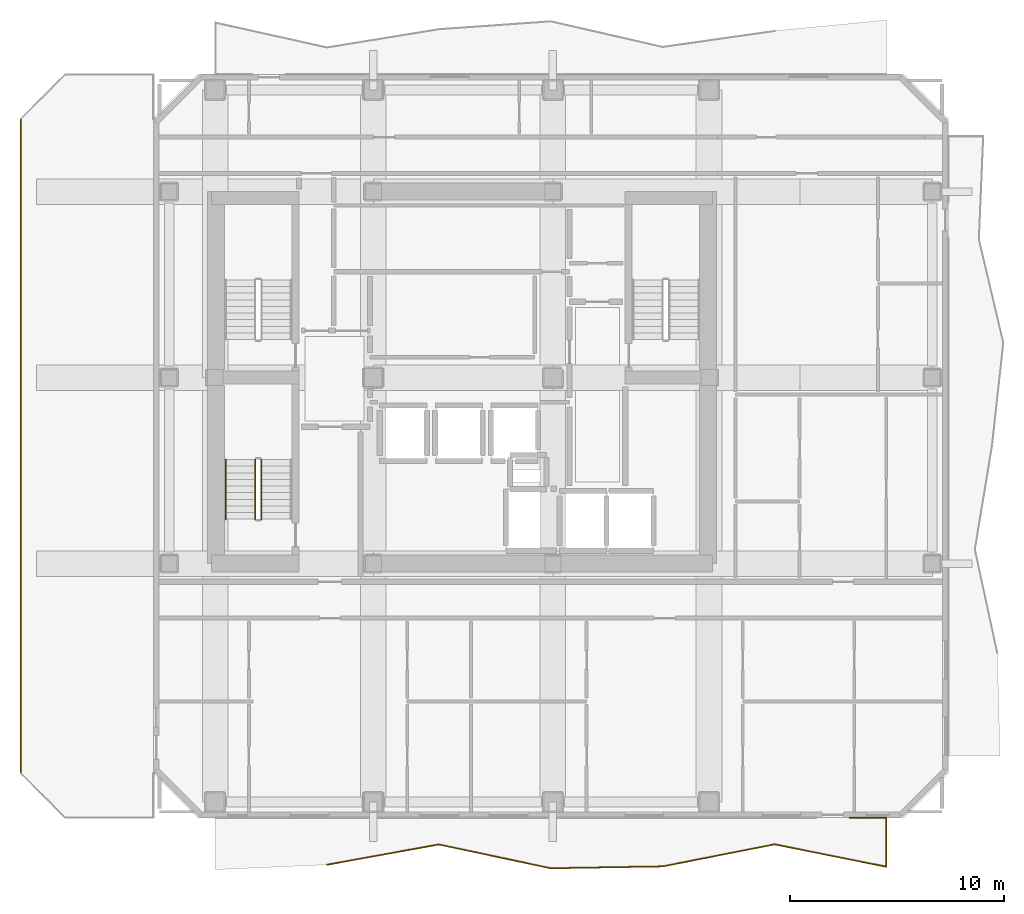
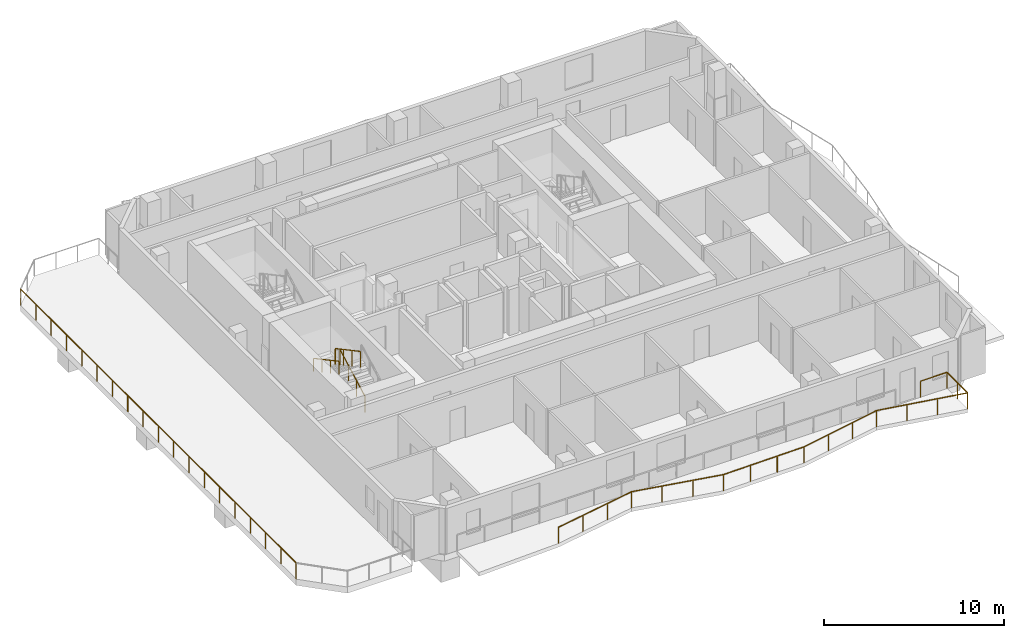
# One storey, part 8 of 10: 5 railings.
"""IFC4 building model written with IfcOpenShell, lengths in metres."""

from ifc_helpers import new_model, si_unit, direction, frame, origin, origin_2d, place, context, subcontext, project, spatial, rectangle, extrude, material, type_object, element, save


model = new_model("IFC4")

# Units and contexts
model_context = context("Model", 3, precision=1e-05, world=origin(), true_north=direction((0.0, 1.0)))
body_context = subcontext(model_context, "Body", "Model", "MODEL_VIEW")
ifc_project = project(units=[si_unit("LENGTHUNIT", "METRE"), si_unit("AREAUNIT", "SQUARE_METRE"), si_unit("VOLUMEUNIT", "CUBIC_METRE"), si_unit("PLANEANGLEUNIT", "RADIAN"), si_unit("MASSUNIT", "GRAM", prefix="KILO")], contexts=[model_context])

# Site, building, storey
site_placement = place(None, origin())
site = spatial("IfcSite", under=ifc_project, at=site_placement, CompositionType="ELEMENT")
building_placement = place(site_placement, origin())
building = spatial("IfcBuilding", under=site, at=building_placement, Name="Solanera Arch Residences", CompositionType="ELEMENT")
storey_placement = place(building_placement, frame((0.0, 0.0, 210.080078125)))
storey = spatial("IfcBuildingStorey", under=building, at=storey_placement, Name="L61", CompositionType="ELEMENT", Elevation=210.080078125)

# Railings
ifc_material_1 = material(Name="Steel S355 (ASTM A992 / A572 Grade 50)", Category="steel")
railing_type_1 = type_object("IfcRailingType", Name="Balustrade Railing BL-1100", PredefinedType="BALUSTRADE", material=ifc_material_1)
railing_1_placement = place(storey_placement, frame((18.633056640625, 7.9140625, 0.0)))
element("IfcRailing", 1, at=railing_1_placement, inside=storey, type_object=railing_type_1, Name="L61 S Balcony Balustrade 1", PredefinedType="BALUSTRADE", context=body_context, shape_type="SweptSolid", body=[
    extrude(rectangle(XDim=0.048095703125, YDim=0.048095703125, at=origin_2d()), frame((0.0, 0.0, 1.09619140625), z_axis=(0.983924939032, 0.178582514123, 0.0), x_axis=(-0.178582514123, 0.983924939032, 0.0)), (0.0, 0.0, 1.0), 5.3193359375),
    extrude(rectangle(XDim=0.048095703125, YDim=0.048095703125, at=origin_2d()), frame((5.23388671875, 0.949951171875, 1.09619140625), z_axis=(0.978083987841, -0.208210741148, 0.0), x_axis=(0.208210741148, 0.978083987841, 0.0)), (0.0, 0.0, 1.0), 5.350341796875),
    extrude(rectangle(XDim=0.048095703125, YDim=0.048095703125, at=origin_2d()), frame((10.467041015625, -0.1640625, 1.09619140625), z_axis=(0.999858981309, 0.016793376564, 0.0), x_axis=(-0.016793376564, 0.999858981309, 0.0)), (0.0, 0.0, 1.0), 5.233642578125),
    extrude(rectangle(XDim=0.048095703125, YDim=0.048095703125, at=origin_2d()), frame((15.699951171875, -0.076171875, 1.09619140625), z_axis=(0.981101701225, 0.193492769511, 0.0), x_axis=(-0.193492769511, 0.981101701225, 0.0)), (0.0, 0.0, 1.0), 5.334716796875),
    extrude(rectangle(XDim=0.048095703125, YDim=0.048095703125, at=origin_2d()), frame((20.933837890625, 0.9560546875, 1.09619140625), z_axis=(0.980492610512, -0.196555948093, 0.0), x_axis=(0.196555948093, 0.980492610512, 0.0)), (0.0, 0.0, 1.0), 5.337158203125),
    extrude(rectangle(XDim=0.048095703125, YDim=0.048095703125, at=origin_2d()), frame((26.1669921875, -0.093017578125, 1.09619140625), z_axis=(0.0, 1.0, 0.0), x_axis=(-1.0, 0.0, 0.0)), (0.0, 0.0, 1.0), 2.299072265625),
    extrude(rectangle(XDim=0.048095703125, YDim=0.048095703125, at=origin_2d()), frame((26.1669921875, 2.2060546875, 1.09619140625), z_axis=(-1.0, 0.0, 0.0), x_axis=(0.0, -1.0, 0.0)), (0.0, 0.0, 1.0), 1.7099609375),
    extrude(rectangle(XDim=0.0419921875, YDim=0.0419921875, at=origin_2d()), origin(), (0.0, 0.0, 1.0), 1.072021484375),
    extrude(rectangle(XDim=0.0419921875, YDim=0.0419921875, at=origin_2d()), frame((1.74462890625, 0.316650390625, 0.0)), (0.0, 0.0, 1.0), 1.072021484375),
    extrude(rectangle(XDim=0.0419921875, YDim=0.0419921875, at=origin_2d()), frame((3.4892578125, 0.63330078125, 0.0)), (0.0, 0.0, 1.0), 1.072021484375),
    extrude(rectangle(XDim=0.0419921875, YDim=0.0419921875, at=origin_2d()), frame((5.23388671875, 0.949951171875, 0.0)), (0.0, 0.0, 1.0), 1.072021484375),
    extrude(rectangle(XDim=0.0419921875, YDim=0.0419921875, at=origin_2d()), frame((6.978271484375, 0.57861328125, 0.0)), (0.0, 0.0, 1.0), 1.072021484375),
    extrude(rectangle(XDim=0.0419921875, YDim=0.0419921875, at=origin_2d()), frame((8.72265625, 0.207275390625, 0.0)), (0.0, 0.0, 1.0), 1.072021484375),
    extrude(rectangle(XDim=0.0419921875, YDim=0.0419921875, at=origin_2d()), frame((10.467041015625, -0.1640625, 0.0)), (0.0, 0.0, 1.0), 1.072021484375),
    extrude(rectangle(XDim=0.0419921875, YDim=0.0419921875, at=origin_2d()), frame((12.21142578125, -0.134765625, 0.0)), (0.0, 0.0, 1.0), 1.072021484375),
    extrude(rectangle(XDim=0.0419921875, YDim=0.0419921875, at=origin_2d()), frame((13.95556640625, -0.10546875, 0.0)), (0.0, 0.0, 1.0), 1.072021484375),
    extrude(rectangle(XDim=0.0419921875, YDim=0.0419921875, at=origin_2d()), frame((15.699951171875, -0.076171875, 0.0)), (0.0, 0.0, 1.0), 1.072021484375),
    extrude(rectangle(XDim=0.0419921875, YDim=0.0419921875, at=origin_2d()), frame((17.444580078125, 0.267822265625, 0.0)), (0.0, 0.0, 1.0), 1.072021484375),
    extrude(rectangle(XDim=0.0419921875, YDim=0.0419921875, at=origin_2d()), frame((19.189208984375, 0.612060546875, 0.0)), (0.0, 0.0, 1.0), 1.072021484375),
    extrude(rectangle(XDim=0.0419921875, YDim=0.0419921875, at=origin_2d()), frame((20.933837890625, 0.9560546875, 0.0)), (0.0, 0.0, 1.0), 1.072021484375),
    extrude(rectangle(XDim=0.0419921875, YDim=0.0419921875, at=origin_2d()), frame((22.67822265625, 0.6064453125, 0.0)), (0.0, 0.0, 1.0), 1.072021484375),
    extrude(rectangle(XDim=0.0419921875, YDim=0.0419921875, at=origin_2d()), frame((24.422607421875, 0.256591796875, 0.0)), (0.0, 0.0, 1.0), 1.072021484375),
    extrude(rectangle(XDim=0.0419921875, YDim=0.0419921875, at=origin_2d()), frame((26.1669921875, -0.093017578125, 0.0)), (0.0, 0.0, 1.0), 1.072021484375),
    extrude(rectangle(XDim=0.0419921875, YDim=0.0419921875, at=origin_2d()), frame((26.1669921875, 1.056640625, 0.0)), (0.0, 0.0, 1.0), 1.072021484375),
    extrude(rectangle(XDim=0.0419921875, YDim=0.0419921875, at=origin_2d()), frame((26.1669921875, 2.2060546875, 0.0)), (0.0, 0.0, 1.0), 1.072021484375),
    extrude(rectangle(XDim=0.0419921875, YDim=0.0419921875, at=origin_2d()), frame((24.45703125, 2.2060546875, 0.0)), (0.0, 0.0, 1.0), 1.072021484375),
])
railing_2_placement = place(storey_placement, frame((4.300048828125, 42.800048828125, 0.0)))
element("IfcRailing", 2, at=railing_2_placement, inside=storey, type_object=railing_type_1, Name="L61 Sky Terrace Guardrail 1", PredefinedType="BALUSTRADE", context=body_context, shape_type="SweptSolid", body=[
    extrude(rectangle(XDim=0.048095703125, YDim=0.048095703125, at=origin_2d()), frame((0.0, 0.0, 1.09619140625), z_axis=(0.0, -1.0, 0.0), x_axis=(1.0, 0.0, 0.0)), (0.0, 0.0, 1.0), 30.60009765625),
    extrude(rectangle(XDim=0.0419921875, YDim=0.0419921875, at=origin_2d()), origin(), (0.0, 0.0, 1.0), 1.072021484375),
    extrude(rectangle(XDim=0.0419921875, YDim=0.0419921875, at=origin_2d()), frame((0.0, -1.699951171875, 0.0)), (0.0, 0.0, 1.0), 1.072021484375),
    extrude(rectangle(XDim=0.0419921875, YDim=0.0419921875, at=origin_2d()), frame((0.0, -3.39990234375, 0.0)), (0.0, 0.0, 1.0), 1.072021484375),
    extrude(rectangle(XDim=0.0419921875, YDim=0.0419921875, at=origin_2d()), frame((0.0, -5.10009765625, 0.0)), (0.0, 0.0, 1.0), 1.072021484375),
    extrude(rectangle(XDim=0.0419921875, YDim=0.0419921875, at=origin_2d()), frame((0.0, -6.800048828125, 0.0)), (0.0, 0.0, 1.0), 1.072021484375),
    extrude(rectangle(XDim=0.0419921875, YDim=0.0419921875, at=origin_2d()), frame((0.0, -8.5, 0.0)), (0.0, 0.0, 1.0), 1.072021484375),
    extrude(rectangle(XDim=0.0419921875, YDim=0.0419921875, at=origin_2d()), frame((0.0, -10.199951171875, 0.0)), (0.0, 0.0, 1.0), 1.072021484375),
    extrude(rectangle(XDim=0.0419921875, YDim=0.0419921875, at=origin_2d()), frame((0.0, -11.900146484375, 0.0)), (0.0, 0.0, 1.0), 1.072021484375),
    extrude(rectangle(XDim=0.0419921875, YDim=0.0419921875, at=origin_2d()), frame((0.0, -13.60009765625, 0.0)), (0.0, 0.0, 1.0), 1.072021484375),
    extrude(rectangle(XDim=0.0419921875, YDim=0.0419921875, at=origin_2d()), frame((0.0, -15.300048828125, 0.0)), (0.0, 0.0, 1.0), 1.072021484375),
    extrude(rectangle(XDim=0.0419921875, YDim=0.0419921875, at=origin_2d()), frame((0.0, -17.0, 0.0)), (0.0, 0.0, 1.0), 1.072021484375),
    extrude(rectangle(XDim=0.0419921875, YDim=0.0419921875, at=origin_2d()), frame((0.0, -18.699951171875, 0.0)), (0.0, 0.0, 1.0), 1.072021484375),
    extrude(rectangle(XDim=0.0419921875, YDim=0.0419921875, at=origin_2d()), frame((0.0, -20.400146484375, 0.0)), (0.0, 0.0, 1.0), 1.072021484375),
    extrude(rectangle(XDim=0.0419921875, YDim=0.0419921875, at=origin_2d()), frame((0.0, -22.10009765625, 0.0)), (0.0, 0.0, 1.0), 1.072021484375),
    extrude(rectangle(XDim=0.0419921875, YDim=0.0419921875, at=origin_2d()), frame((0.0, -23.800048828125, 0.0)), (0.0, 0.0, 1.0), 1.072021484375),
    extrude(rectangle(XDim=0.0419921875, YDim=0.0419921875, at=origin_2d()), frame((0.0, -25.5, 0.0)), (0.0, 0.0, 1.0), 1.072021484375),
    extrude(rectangle(XDim=0.0419921875, YDim=0.0419921875, at=origin_2d()), frame((0.0, -27.2001953125, 0.0)), (0.0, 0.0, 1.0), 1.072021484375),
    extrude(rectangle(XDim=0.0419921875, YDim=0.0419921875, at=origin_2d()), frame((0.0, -28.900146484375, 0.0)), (0.0, 0.0, 1.0), 1.072021484375),
    extrude(rectangle(XDim=0.0419921875, YDim=0.0419921875, at=origin_2d()), frame((0.0, -30.60009765625, 0.0)), (0.0, 0.0, 1.0), 1.072021484375),
])
ifc_material_2 = material(Name="Steel S355 (ASTM A992 / A572 Grade 50)", Category="steel")
railing_type_2 = type_object("IfcRailingType", Name="Stair Guardrail GR-1100", PredefinedType="GUARDRAIL", material=ifc_material_2)
railing_3_placement = place(storey_placement, frame((15.570068359375, 24.080078125, 0.15087890625)))
element("IfcRailing", 3, at=railing_3_placement, inside=storey, type_object=railing_type_2, Name="L61 ST-T3 stair guard 1", PredefinedType="GUARDRAIL", context=body_context, shape_type="SweptSolid", body=[
    extrude(rectangle(XDim=0.048095703125, YDim=0.048095703125, at=origin_2d()), frame((0.0, 0.0, 1.076171875), z_axis=(0.0, 0.881548766853, 0.472092969298), x_axis=(-1.0, 0.0, 0.0)), (0.0, 0.0, 1.0), 3.1650390625),
    extrude(rectangle(XDim=0.0419921875, YDim=0.0419921875, at=origin_2d()), origin(), (0.0, 0.0, 1.0), 1.052001953125),
    extrude(rectangle(XDim=0.0419921875, YDim=0.0419921875, at=origin_2d()), frame((0.0, 0.929931640625, 0.498046875)), (0.0, 0.0, 1.0), 1.052001953125),
    extrude(rectangle(XDim=0.0419921875, YDim=0.0419921875, at=origin_2d()), frame((0.0, 1.860107421875, 0.99609375)), (0.0, 0.0, 1.0), 1.052001953125),
    extrude(rectangle(XDim=0.0419921875, YDim=0.0419921875, at=origin_2d()), frame((0.0, 2.7900390625, 1.494140625)), (0.0, 0.0, 1.0), 1.052001953125),
])
railing_4_placement = place(storey_placement, frame((15.27001953125, 26.8701171875, 1.81103515625)))
element("IfcRailing", 4, at=railing_4_placement, inside=storey, type_object=railing_type_2, Name="L61 ST-T3 stair guard 3", PredefinedType="GUARDRAIL", context=body_context, shape_type="SweptSolid", body=[
    extrude(rectangle(XDim=0.048095703125, YDim=0.048095703125, at=origin_2d()), frame((0.0, 0.0, 1.076171875), z_axis=(0.0, -0.881580869306, 0.472033018838), x_axis=(1.0, 0.0, 0.0)), (0.0, 0.0, 1.0), 3.164794921875),
    extrude(rectangle(XDim=0.0419921875, YDim=0.0419921875, at=origin_2d()), origin(), (0.0, 0.0, 1.0), 1.052001953125),
    extrude(rectangle(XDim=0.0419921875, YDim=0.0419921875, at=origin_2d()), frame((0.0, -0.929931640625, 0.498046875)), (0.0, 0.0, 1.0), 1.052001953125),
    extrude(rectangle(XDim=0.0419921875, YDim=0.0419921875, at=origin_2d()), frame((0.0, -1.860107421875, 0.995849609375)), (0.0, 0.0, 1.0), 1.052001953125),
    extrude(rectangle(XDim=0.0419921875, YDim=0.0419921875, at=origin_2d()), frame((0.0, -2.7900390625, 1.493896484375)), (0.0, 0.0, 1.0), 1.052001953125),
])
ifc_material_3 = material(Name="Steel S355 (ASTM A992 / A572 Grade 50)", Category="steel")
railing_type_3 = type_object("IfcRailingType", Name="Stair Wall Handrail HR-920", PredefinedType="HANDRAIL", material=ifc_material_3)
railing_5_placement = place(storey_placement, frame((13.889892578125, 26.8701171875, 1.825927734375)))
element("IfcRailing", 5, at=railing_5_placement, inside=storey, type_object=railing_type_3, Name="L61 ST-T3 stair handrail 2", PredefinedType="HANDRAIL", context=body_context, shape_type="SweptSolid", body=[
    extrude(rectangle(XDim=0.048095703125, YDim=0.048095703125, at=origin_2d()), frame((0.0, 0.0, 0.8759765625), z_axis=(0.0, -0.881580869306, 0.472033018838), x_axis=(1.0, 0.0, 0.0)), (0.0, 0.0, 1.0), 3.164794921875),
    extrude(rectangle(XDim=0.0419921875, YDim=0.0419921875, at=origin_2d()), origin(), (0.0, 0.0, 1.0), 0.851806640625),
    extrude(rectangle(XDim=0.0419921875, YDim=0.0419921875, at=origin_2d()), frame((0.0, -0.929931640625, 0.498046875)), (0.0, 0.0, 1.0), 0.851806640625),
    extrude(rectangle(XDim=0.0419921875, YDim=0.0419921875, at=origin_2d()), frame((0.0, -1.860107421875, 0.995849609375)), (0.0, 0.0, 1.0), 0.851806640625),
    extrude(rectangle(XDim=0.0419921875, YDim=0.0419921875, at=origin_2d()), frame((0.0, -2.7900390625, 1.493896484375)), (0.0, 0.0, 1.0), 0.851806640625),
])

save(model, "model.ifc")
